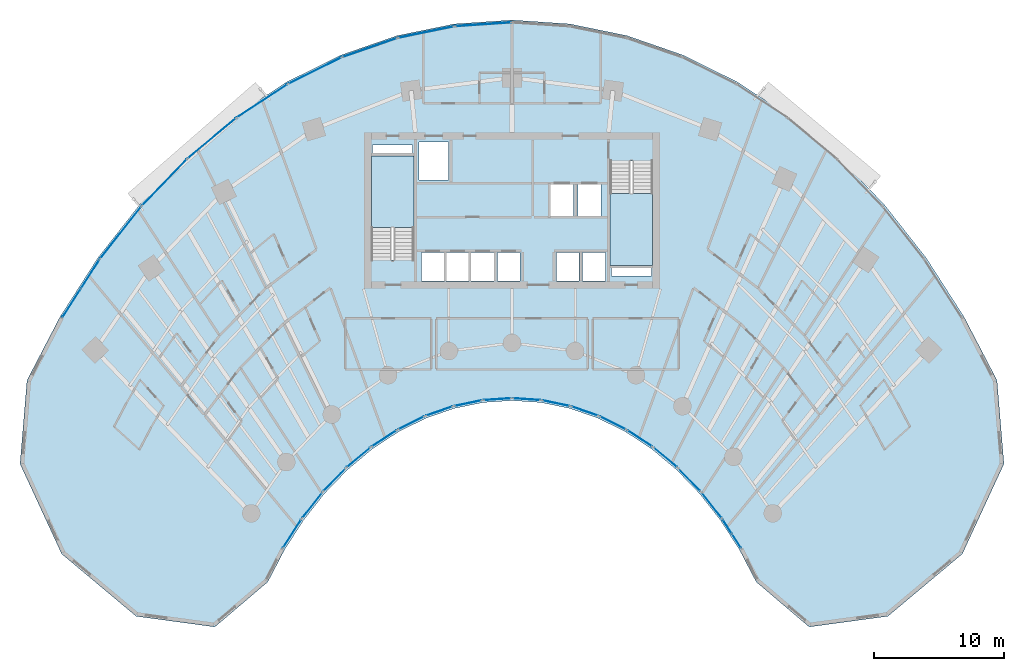
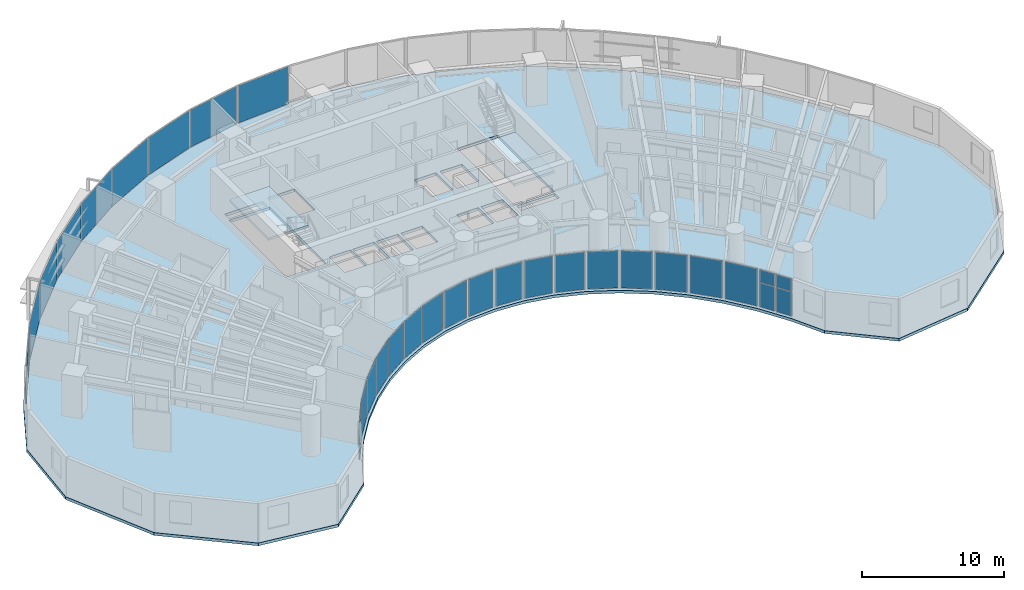
# One storey, part 9 of 18: 33 plates, 3 slabs, 29 elements without a shape of their own.
"""IFC4 building model written with IfcOpenShell, lengths in metres."""

from ifc_helpers import new_model, si_unit, direction, frame, origin, origin_2d, place, context, subcontext, project, spatial, polyline, rectangle, outline, extrude, source, transform, mapped, material, layer, layer_set, type_object, type_shapes, element, aggregate, save


model = new_model("IFC4")

# Units and contexts
model_context = context("Model", 3, precision=1e-05, world=origin(), true_north=direction((0.0, 1.0)))
body_context = subcontext(model_context, "Body", "Model", "MODEL_VIEW")
ifc_project = project(units=[si_unit("LENGTHUNIT", "METRE"), si_unit("AREAUNIT", "SQUARE_METRE"), si_unit("VOLUMEUNIT", "CUBIC_METRE"), si_unit("PLANEANGLEUNIT", "RADIAN"), si_unit("MASSUNIT", "GRAM", prefix="KILO")], contexts=[model_context])

# Site, building, storey
site_placement = place(None, origin())
site = spatial("IfcSite", under=ifc_project, at=site_placement, CompositionType="ELEMENT")
building_placement = place(site_placement, origin())
building = spatial("IfcBuilding", under=site, at=building_placement, Name="Breltana Convention Tower", CompositionType="ELEMENT")
storey_placement = place(building_placement, frame((0.0, 0.0, 39.0)))
storey = spatial("IfcBuildingStorey", under=building, at=storey_placement, Name="L07", CompositionType="ELEMENT", Elevation=39.0)

# Slab
ifc_material_1 = material(Name="Concrete C40/50", Category="concrete")
ifc_layer_1 = layer(ifc_material_1, 0.239990234375, Name="Concrete C40/50")
ifc_layer_set_1 = layer_set([ifc_layer_1], Name="Concrete C40/50")
slab_type_1 = type_object("IfcSlabType", Name="SL-HTL-240", PredefinedType="FLOOR", material=ifc_layer_set_1)
slab_1_placement = place(storey_placement, frame((0.0, 0.0, -0.239990234375)))
element("IfcSlab", 1, at=slab_1_placement, inside=storey, type_object=slab_type_1, Name="L07 Suspended Structural Floor Slab", PredefinedType="FLOOR", context=body_context, shape_type="SweptSolid", body=[
    extrude(outline(polyline([(85.229248046875, 53.173095703125), (82.687744140625, 58.054931640625), (79.791015625, 62.567626953125), (76.569091796875, 66.664794921875), (73.05419921875, 70.304931640625), (69.283203125, 73.450439453125), (65.2939453125, 76.069091796875), (61.1279296875, 78.134033203125), (56.827392578125, 79.62451171875), (52.436279296875, 80.52490234375), (48.0, 80.825927734375), (43.563720703125, 80.52490234375), (39.172607421875, 79.62451171875), (34.8720703125, 78.134033203125), (30.7060546875, 76.069091796875), (26.716796875, 73.450439453125), (22.94580078125, 70.304931640625), (19.430908203125, 66.664794921875), (16.208984375, 62.567626953125), (13.312255859375, 58.054931640625), (10.770751953125, 53.173095703125), (10.234619140625, 46.75927734375), (13.433837890625, 39.8388671875), (19.14697265625, 35.055419921875), (25.191162109375, 34.235595703125), (29.258056640625, 37.693115234375), (30.53759765625, 40.150634765625), (31.995849609375, 42.42236328125), (33.617919921875, 44.485107421875), (35.38720703125, 46.3173828125), (37.28564453125, 47.90087890625), (39.2939453125, 49.21923828125), (41.39111328125, 50.2587890625), (43.55615234375, 51.009033203125), (45.7666015625, 51.46240234375), (48.0, 51.614013671875), (50.2333984375, 51.46240234375), (52.44384765625, 51.009033203125), (54.60888671875, 50.2587890625), (56.7060546875, 49.21923828125), (58.71435546875, 47.90087890625), (60.61279296875, 46.3173828125), (62.382080078125, 44.485107421875), (64.004150390625, 42.42236328125), (65.46240234375, 40.150634765625), (66.741943359375, 37.693115234375), (70.808837890625, 34.235595703125), (76.85302734375, 35.055419921875), (82.566162109375, 39.8388671875), (85.765380859375, 46.75927734375), (85.229248046875, 53.173095703125)]), holes=[polyline([(37.199951171875, 62.385009765625), (40.469970703125, 62.385009765625), (40.469970703125, 70.39990234375), (37.199951171875, 70.39990234375), (37.199951171875, 62.385009765625)]), polyline([(55.530029296875, 62.0), (58.800048828125, 62.0), (58.800048828125, 70.014892578125), (55.530029296875, 70.014892578125), (55.530029296875, 62.0)]), polyline([(41.0400390625, 60.800048828125), (42.800048828125, 60.800048828125), (42.800048828125, 62.97998046875), (41.0400390625, 62.97998046875), (41.0400390625, 60.800048828125)]), polyline([(42.93994140625, 60.800048828125), (44.699951171875, 60.800048828125), (44.699951171875, 62.97998046875), (42.93994140625, 62.97998046875), (42.93994140625, 60.800048828125)]), polyline([(44.8701171875, 60.800048828125), (46.6298828125, 60.800048828125), (46.6298828125, 62.97998046875), (44.8701171875, 62.97998046875), (44.8701171875, 60.800048828125)]), polyline([(46.8701171875, 60.800048828125), (48.6298828125, 60.800048828125), (48.6298828125, 62.97998046875), (46.8701171875, 62.97998046875), (46.8701171875, 60.800048828125)]), polyline([(51.39990234375, 60.800048828125), (53.159912109375, 60.800048828125), (53.159912109375, 62.97998046875), (51.39990234375, 62.97998046875), (51.39990234375, 60.800048828125)]), polyline([(53.39990234375, 60.800048828125), (55.159912109375, 60.800048828125), (55.159912109375, 62.97998046875), (53.39990234375, 62.97998046875), (53.39990234375, 60.800048828125)]), polyline([(50.969970703125, 65.800048828125), (52.72998046875, 65.800048828125), (52.72998046875, 68.179931640625), (50.969970703125, 68.179931640625), (50.969970703125, 65.800048828125)]), polyline([(53.070068359375, 65.800048828125), (54.830078125, 65.800048828125), (54.830078125, 68.179931640625), (53.070068359375, 68.179931640625), (53.070068359375, 65.800048828125)]), polyline([(40.8798828125, 68.550048828125), (43.1201171875, 68.550048828125), (43.1201171875, 71.449951171875), (40.8798828125, 71.449951171875), (40.8798828125, 68.550048828125)]), polyline([(37.300048828125, 70.60009765625), (40.3798828125, 70.60009765625), (40.3798828125, 71.219970703125), (37.300048828125, 71.219970703125), (37.300048828125, 70.60009765625)]), polyline([(55.6201171875, 61.179931640625), (58.699951171875, 61.179931640625), (58.699951171875, 61.800048828125), (55.6201171875, 61.800048828125), (55.6201171875, 61.179931640625)])]), origin(), (0.0, 0.0, 1.0), 0.239990234375),
])

# Stair, slab
stair_type = type_object("IfcStairType", Name="ST-DOG-1560-R180", PredefinedType="HALF_TURN_STAIR", material=ifc_material_1)
stair_1_placement = place(storey_placement, origin())
stair_1 = element("IfcStair", 2, at=stair_1_placement, inside=storey, type_object=stair_type, Name="L07 Protected Core Exit Stair ST-1", PredefinedType="HALF_TURN_STAIR")
ifc_layer_2 = layer(ifc_material_1, 0.199951171875, Name="Concrete C40/50")
ifc_layer_set_2 = layer_set([ifc_layer_2], Name="Concrete C40/50")
slab_type_2 = type_object("IfcSlabType", Name="SL-STAIR-LANDING-200", PredefinedType="LANDING", material=ifc_layer_set_2)
slab_2_placement = place(storey_placement, frame((0.0, 0.0, 1.60009765625)))
slab_2 = element("IfcSlab", 3, at=slab_2_placement, type_object=slab_type_2, Name="ST-1 landing 1", PredefinedType="LANDING", context=body_context, shape_type="SweptSolid", body=[
    extrude(outline(polyline([(40.469970703125, 64.8798828125), (40.469970703125, 70.39990234375), (37.199951171875, 70.39990234375), (37.199951171875, 64.8798828125), (40.469970703125, 64.8798828125)])), origin(), (0.0, 0.0, 1.0), 0.199951171875),
])
aggregate(stair_1, [slab_2])

stair_2_placement = place(storey_placement, origin())
stair_2 = element("IfcStair", 4, at=stair_2_placement, inside=storey, type_object=stair_type, Name="L07 Protected Core Exit Stair ST-2", PredefinedType="HALF_TURN_STAIR")
slab_3_placement = place(storey_placement, frame((0.0, 0.0, 1.60009765625)))
slab_3 = element("IfcSlab", 5, at=slab_3_placement, type_object=slab_type_2, Name="ST-2 landing 1", PredefinedType="LANDING", context=body_context, shape_type="SweptSolid", body=[
    extrude(outline(polyline([(55.530029296875, 67.52001953125), (55.530029296875, 62.0), (58.800048828125, 62.0), (58.800048828125, 67.52001953125), (55.530029296875, 67.52001953125)])), origin(), (0.0, 0.0, 1.0), 0.199951171875),
])
aggregate(stair_2, [slab_3])

# Curtain wall, plates
ifc_material_2 = material(Name="Aluminium Anodised Bronze Frame", Category="aluminium")
ifc_layer_3 = layer(ifc_material_2, 0.18994140625, Name="Aluminium Anodised Bronze Frame")
ifc_layer_set_3 = layer_set([ifc_layer_3], Name="Aluminium Anodised Bronze Frame")
curtain_wall_type_1 = type_object("IfcCurtainWallType", Name="CW-SYS-1", PredefinedType="NOTDEFINED", material=ifc_layer_set_3)
curtain_wall_1_placement = place(storey_placement, origin())
curtain_wall_1 = element("IfcCurtainWall", 6, at=curtain_wall_1_placement, inside=storey, type_object=curtain_wall_type_1, Name="L07 inner south-court glazing 1", PredefinedType="NOTDEFINED")
ifc_material_3 = material(Name="Glass Low-E Double Glazing", Category="glass")
ifc_layer_4 = layer(ifc_material_3, 0.028076171875, Name="Glass Low-E Double Glazing")
ifc_layer_set_4 = layer_set([ifc_layer_4], Name="Glass Low-E Double Glazing")
plate_type_1 = type_object("IfcPlateType", Name="CWP-IGU-28", PredefinedType="CURTAIN_PANEL", material=ifc_layer_set_4)
shared_shape_1 = source(origin(), body_context, "Body", "SweptSolid", [
    extrude(rectangle(XDim=1.229736328125, YDim=0.028076171875, at=origin_2d()), origin(), (0.0, 0.0, 1.0), 2.06396484375),
])
plate_1_placement = place(storey_placement, frame((65.238525390625, 40.83251953125, 0.080078125), z_axis=(0.0, 0.0, 1.0), x_axis=(-0.540169576197, 0.841556194767, 0.0)))
plate_1 = element("IfcPlate", 7, at=plate_1_placement, type_object=plate_type_1, Name="CW-01 panel 1.1", PredefinedType="CURTAIN_PANEL", context=body_context, shape_type="MappedRepresentation", body=[
    mapped(shared_shape_1, transform((0.0, 0.0, 0.0), scale=1.0)),
])
plate_2_placement = place(storey_placement, frame((64.531005859375, 41.934814453125, 0.080078125), z_axis=(0.0, 0.0, 1.0), x_axis=(-0.540169576197, 0.841556194767, 0.0)))
plate_2 = element("IfcPlate", 8, at=plate_2_placement, type_object=plate_type_1, Name="CW-01 panel 2.1", PredefinedType="CURTAIN_PANEL", context=body_context, shape_type="MappedRepresentation", body=[
    mapped(shared_shape_1, transform((0.0, 0.0, 0.0), scale=1.0)),
])
shared_shape_2 = source(origin(), body_context, "Body", "SweptSolid", [
    extrude(rectangle(XDim=1.229736328125, YDim=0.028076171875, at=origin_2d()), origin(), (0.0, 0.0, 1.0), 1.055908203125),
])
plate_3_placement = place(storey_placement, frame((65.238525390625, 40.83251953125, 2.22412109375), z_axis=(0.0, 0.0, 1.0), x_axis=(-0.540169576197, 0.841556194767, 0.0)))
plate_3 = element("IfcPlate", 9, at=plate_3_placement, type_object=plate_type_1, Name="CW-01 panel 1.2", PredefinedType="CURTAIN_PANEL", context=body_context, shape_type="MappedRepresentation", body=[
    mapped(shared_shape_2, transform((0.0, 0.0, 0.0), scale=1.0)),
])
plate_4_placement = place(storey_placement, frame((64.531005859375, 41.934814453125, 2.22412109375), z_axis=(0.0, 0.0, 1.0), x_axis=(-0.540169576197, 0.841556194767, 0.0)))
plate_4 = element("IfcPlate", 10, at=plate_4_placement, type_object=plate_type_1, Name="CW-01 panel 2.2", PredefinedType="CURTAIN_PANEL", context=body_context, shape_type="MappedRepresentation", body=[
    mapped(shared_shape_2, transform((0.0, 0.0, 0.0), scale=1.0)),
])
aggregate(curtain_wall_1, [plate_1, plate_3, plate_2, plate_4])

# Curtain wall, plate
curtain_wall_2_placement = place(storey_placement, origin())
curtain_wall_2 = element("IfcCurtainWall", 11, at=curtain_wall_2_placement, inside=storey, type_object=curtain_wall_type_1, Name="L07 inner south-court glazing 2", PredefinedType="NOTDEFINED")
shared_shape_3 = source(origin(), body_context, "Body", "SweptSolid", [
    extrude(rectangle(XDim=2.464111328125, YDim=0.028076171875, at=origin_2d()), origin(), (0.0, 0.0, 1.0), 3.199951171875),
])
plate_5_placement = place(storey_placement, frame((63.334716796875, 43.56494140625, 0.080078125), z_axis=(0.0, 0.0, 1.0), x_axis=(-0.61815305034, 0.786057762734, 0.0)))
plate_5 = element("IfcPlate", 12, at=plate_5_placement, type_object=plate_type_1, Name="CW-01 panel 1.1", PredefinedType="CURTAIN_PANEL", context=body_context, shape_type="MappedRepresentation", body=[
    mapped(shared_shape_3, transform((0.0, 0.0, 0.0), scale=1.0)),
])
aggregate(curtain_wall_2, [plate_5])

curtain_wall_3_placement = place(storey_placement, origin())
curtain_wall_3 = element("IfcCurtainWall", 13, at=curtain_wall_3_placement, inside=storey, type_object=curtain_wall_type_1, Name="L07 inner south-court glazing 17", PredefinedType="NOTDEFINED")
plate_6_placement = place(storey_placement, frame((32.665283203125, 43.56494140625, 0.080078125), z_axis=(0.0, 0.0, 1.0), x_axis=(-0.61815305034, -0.786057762734, 0.0)))
plate_6 = element("IfcPlate", 14, at=plate_6_placement, type_object=plate_type_1, Name="CW-01 panel 1.1", PredefinedType="CURTAIN_PANEL", context=body_context, shape_type="MappedRepresentation", body=[
    mapped(shared_shape_3, transform((0.0, 0.0, 0.0), scale=1.0)),
])
aggregate(curtain_wall_3, [plate_6])

curtain_wall_4_placement = place(storey_placement, origin())
curtain_wall_4 = element("IfcCurtainWall", 15, at=curtain_wall_4_placement, inside=storey, type_object=curtain_wall_type_1, Name="L07 inner south-court glazing 3", PredefinedType="NOTDEFINED")
shared_shape_4 = source(origin(), body_context, "Body", "SweptSolid", [
    extrude(rectangle(XDim=2.38720703125, YDim=0.028076171875, at=origin_2d()), origin(), (0.0, 0.0, 1.0), 3.199951171875),
])
plate_7_placement = place(storey_placement, frame((61.626953125, 45.5263671875, 0.080078125), z_axis=(0.0, 0.0, 1.0), x_axis=(-0.694612029111, 0.719384548773, 0.0)))
plate_7 = element("IfcPlate", 16, at=plate_7_placement, type_object=plate_type_1, Name="CW-01 panel 1.1", PredefinedType="CURTAIN_PANEL", context=body_context, shape_type="MappedRepresentation", body=[
    mapped(shared_shape_4, transform((0.0, 0.0, 0.0), scale=1.0)),
])
aggregate(curtain_wall_4, [plate_7])

curtain_wall_5_placement = place(storey_placement, origin())
curtain_wall_5 = element("IfcCurtainWall", 17, at=curtain_wall_5_placement, inside=storey, type_object=curtain_wall_type_1, Name="L07 inner south-court glazing 16", PredefinedType="NOTDEFINED")
plate_8_placement = place(storey_placement, frame((34.373046875, 45.5263671875, 0.080078125), z_axis=(0.0, 0.0, 1.0), x_axis=(-0.694612029111, -0.719384548773, 0.0)))
plate_8 = element("IfcPlate", 18, at=plate_8_placement, type_object=plate_type_1, Name="CW-01 panel 1.1", PredefinedType="CURTAIN_PANEL", context=body_context, shape_type="MappedRepresentation", body=[
    mapped(shared_shape_4, transform((0.0, 0.0, 0.0), scale=1.0)),
])
aggregate(curtain_wall_5, [plate_8])

curtain_wall_6_placement = place(storey_placement, origin())
curtain_wall_6 = element("IfcCurtainWall", 19, at=curtain_wall_6_placement, inside=storey, type_object=curtain_wall_type_1, Name="L07 inner south-court glazing 4", PredefinedType="NOTDEFINED")
shared_shape_5 = source(origin(), body_context, "Body", "SweptSolid", [
    extrude(rectangle(XDim=2.312255859375, YDim=0.028076171875, at=origin_2d()), origin(), (0.0, 0.0, 1.0), 3.199951171875),
])
plate_9_placement = place(storey_placement, frame((59.77880859375, 47.24755859375, 0.080078125), z_axis=(0.0, 0.0, 1.0), x_axis=(-0.767939382804, 0.640522524458, 0.0)))
plate_9 = element("IfcPlate", 20, at=plate_9_placement, type_object=plate_type_1, Name="CW-01 panel 1.1", PredefinedType="CURTAIN_PANEL", context=body_context, shape_type="MappedRepresentation", body=[
    mapped(shared_shape_5, transform((0.0, 0.0, 0.0), scale=1.0)),
])
aggregate(curtain_wall_6, [plate_9])

curtain_wall_7_placement = place(storey_placement, origin())
curtain_wall_7 = element("IfcCurtainWall", 21, at=curtain_wall_7_placement, inside=storey, type_object=curtain_wall_type_1, Name="L07 inner south-court glazing 15", PredefinedType="NOTDEFINED")
plate_10_placement = place(storey_placement, frame((36.22119140625, 47.24755859375, 0.080078125), z_axis=(0.0, 0.0, 1.0), x_axis=(-0.767939382804, -0.640522524458, 0.0)))
plate_10 = element("IfcPlate", 22, at=plate_10_placement, type_object=plate_type_1, Name="CW-01 panel 1.1", PredefinedType="CURTAIN_PANEL", context=body_context, shape_type="MappedRepresentation", body=[
    mapped(shared_shape_5, transform((0.0, 0.0, 0.0), scale=1.0)),
])
aggregate(curtain_wall_7, [plate_10])

curtain_wall_8_placement = place(storey_placement, origin())
curtain_wall_8 = element("IfcCurtainWall", 23, at=curtain_wall_8_placement, inside=storey, type_object=curtain_wall_type_1, Name="L07 inner south-court glazing 5", PredefinedType="NOTDEFINED")
shared_shape_6 = source(origin(), body_context, "Body", "SweptSolid", [
    extrude(rectangle(XDim=2.2421875, YDim=0.028076171875, at=origin_2d()), origin(), (0.0, 0.0, 1.0), 3.199951171875),
])
plate_11_placement = place(storey_placement, frame((57.80908203125, 48.710693359375, 0.080078125), z_axis=(0.0, 0.0, 1.0), x_axis=(-0.835967942634, 0.548778278441, 0.0)))
plate_11 = element("IfcPlate", 24, at=plate_11_placement, type_object=plate_type_1, Name="CW-01 panel 1.1", PredefinedType="CURTAIN_PANEL", context=body_context, shape_type="MappedRepresentation", body=[
    mapped(shared_shape_6, transform((0.0, 0.0, 0.0), scale=1.0)),
])
aggregate(curtain_wall_8, [plate_11])

curtain_wall_9_placement = place(storey_placement, origin())
curtain_wall_9 = element("IfcCurtainWall", 25, at=curtain_wall_9_placement, inside=storey, type_object=curtain_wall_type_1, Name="L07 inner south-court glazing 14", PredefinedType="NOTDEFINED")
plate_12_placement = place(storey_placement, frame((38.19091796875, 48.710693359375, 0.080078125), z_axis=(0.0, 0.0, 1.0), x_axis=(-0.835967942634, -0.548778278441, 0.0)))
plate_12 = element("IfcPlate", 26, at=plate_12_placement, type_object=plate_type_1, Name="CW-01 panel 1.1", PredefinedType="CURTAIN_PANEL", context=body_context, shape_type="MappedRepresentation", body=[
    mapped(shared_shape_6, transform((0.0, 0.0, 0.0), scale=1.0)),
])
aggregate(curtain_wall_9, [plate_12])

curtain_wall_10_placement = place(storey_placement, origin())
curtain_wall_10 = element("IfcCurtainWall", 27, at=curtain_wall_10_placement, inside=storey, type_object=curtain_wall_type_1, Name="L07 inner south-court glazing 6", PredefinedType="NOTDEFINED")
shared_shape_7 = source(origin(), body_context, "Body", "SweptSolid", [
    extrude(rectangle(XDim=2.180908203125, YDim=0.028076171875, at=origin_2d()), origin(), (0.0, 0.0, 1.0), 3.199951171875),
])
plate_13_placement = place(storey_placement, frame((55.7373046875, 49.900390625, 0.080078125), z_axis=(0.0, 0.0, 1.0), x_axis=(-0.895968310315, 0.444117987602, 0.0)))
plate_13 = element("IfcPlate", 28, at=plate_13_placement, type_object=plate_type_1, Name="CW-01 panel 1.1", PredefinedType="CURTAIN_PANEL", context=body_context, shape_type="MappedRepresentation", body=[
    mapped(shared_shape_7, transform((0.0, 0.0, 0.0), scale=1.0)),
])
aggregate(curtain_wall_10, [plate_13])

curtain_wall_11_placement = place(storey_placement, origin())
curtain_wall_11 = element("IfcCurtainWall", 29, at=curtain_wall_11_placement, inside=storey, type_object=curtain_wall_type_1, Name="L07 inner south-court glazing 13", PredefinedType="NOTDEFINED")
plate_14_placement = place(storey_placement, frame((40.2626953125, 49.900390625, 0.080078125), z_axis=(0.0, 0.0, 1.0), x_axis=(-0.895968310315, -0.444117987602, 0.0)))
plate_14 = element("IfcPlate", 30, at=plate_14_placement, type_object=plate_type_1, Name="CW-01 panel 1.1", PredefinedType="CURTAIN_PANEL", context=body_context, shape_type="MappedRepresentation", body=[
    mapped(shared_shape_7, transform((0.0, 0.0, 0.0), scale=1.0)),
])
aggregate(curtain_wall_11, [plate_14])

curtain_wall_12_placement = place(storey_placement, origin())
curtain_wall_12 = element("IfcCurtainWall", 31, at=curtain_wall_12_placement, inside=storey, type_object=curtain_wall_type_1, Name="L07 inner south-court glazing 7", PredefinedType="NOTDEFINED")
shared_shape_8 = source(origin(), body_context, "Body", "SweptSolid", [
    extrude(rectangle(XDim=2.13134765625, YDim=0.028076171875, at=origin_2d()), origin(), (0.0, 0.0, 1.0), 3.199951171875),
])
plate_15_placement = place(storey_placement, frame((53.585205078125, 50.80419921875, 0.080078125), z_axis=(0.0, 0.0, 1.0), x_axis=(-0.944881211406, 0.327413341714, 0.0)))
plate_15 = element("IfcPlate", 32, at=plate_15_placement, type_object=plate_type_1, Name="CW-01 panel 1.1", PredefinedType="CURTAIN_PANEL", context=body_context, shape_type="MappedRepresentation", body=[
    mapped(shared_shape_8, transform((0.0, 0.0, 0.0), scale=1.0)),
])
aggregate(curtain_wall_12, [plate_15])

curtain_wall_13_placement = place(storey_placement, origin())
curtain_wall_13 = element("IfcCurtainWall", 33, at=curtain_wall_13_placement, inside=storey, type_object=curtain_wall_type_1, Name="L07 inner south-court glazing 12", PredefinedType="NOTDEFINED")
plate_16_placement = place(storey_placement, frame((42.414794921875, 50.80419921875, 0.080078125), z_axis=(0.0, 0.0, 1.0), x_axis=(-0.944881211406, -0.327413341714, 0.0)))
plate_16 = element("IfcPlate", 34, at=plate_16_placement, type_object=plate_type_1, Name="CW-01 panel 1.1", PredefinedType="CURTAIN_PANEL", context=body_context, shape_type="MappedRepresentation", body=[
    mapped(shared_shape_8, transform((0.0, 0.0, 0.0), scale=1.0)),
])
aggregate(curtain_wall_13, [plate_16])

curtain_wall_14_placement = place(storey_placement, origin())
curtain_wall_14 = element("IfcCurtainWall", 35, at=curtain_wall_14_placement, inside=storey, type_object=curtain_wall_type_1, Name="L07 inner south-court glazing 8", PredefinedType="NOTDEFINED")
shared_shape_9 = source(origin(), body_context, "Body", "SweptSolid", [
    extrude(rectangle(XDim=2.096435546875, YDim=0.028076171875, at=origin_2d()), origin(), (0.0, 0.0, 1.0), 3.199951171875),
])
plate_17_placement = place(storey_placement, frame((51.374755859375, 51.412109375, 0.080078125), z_axis=(0.0, 0.0, 1.0), x_axis=(-0.97961455393, 0.200886350278, 0.0)))
plate_17 = element("IfcPlate", 36, at=plate_17_placement, type_object=plate_type_1, Name="CW-01 panel 1.1", PredefinedType="CURTAIN_PANEL", context=body_context, shape_type="MappedRepresentation", body=[
    mapped(shared_shape_9, transform((0.0, 0.0, 0.0), scale=1.0)),
])
aggregate(curtain_wall_14, [plate_17])

curtain_wall_15_placement = place(storey_placement, origin())
curtain_wall_15 = element("IfcCurtainWall", 37, at=curtain_wall_15_placement, inside=storey, type_object=curtain_wall_type_1, Name="L07 inner south-court glazing 11", PredefinedType="NOTDEFINED")
plate_18_placement = place(storey_placement, frame((44.625244140625, 51.412109375, 0.080078125), z_axis=(0.0, 0.0, 1.0), x_axis=(-0.97961455393, -0.200886350278, 0.0)))
plate_18 = element("IfcPlate", 38, at=plate_18_placement, type_object=plate_type_1, Name="CW-01 panel 1.1", PredefinedType="CURTAIN_PANEL", context=body_context, shape_type="MappedRepresentation", body=[
    mapped(shared_shape_9, transform((0.0, 0.0, 0.0), scale=1.0)),
])
aggregate(curtain_wall_15, [plate_18])

curtain_wall_16_placement = place(storey_placement, origin())
curtain_wall_16 = element("IfcCurtainWall", 39, at=curtain_wall_16_placement, inside=storey, type_object=curtain_wall_type_1, Name="L07 inner south-court glazing 9", PredefinedType="NOTDEFINED")
shared_shape_10 = source(origin(), body_context, "Body", "SweptSolid", [
    extrude(rectangle(XDim=2.078369140625, YDim=0.028076171875, at=origin_2d()), origin(), (0.0, 0.0, 1.0), 3.199951171875),
])
plate_19_placement = place(storey_placement, frame((49.12890625, 51.7177734375, 0.080078125), z_axis=(0.0, 0.0, 1.0), x_axis=(-0.997703975371, 0.067725752326, 0.0)))
plate_19 = element("IfcPlate", 40, at=plate_19_placement, type_object=plate_type_1, Name="CW-01 panel 1.1", PredefinedType="CURTAIN_PANEL", context=body_context, shape_type="MappedRepresentation", body=[
    mapped(shared_shape_10, transform((0.0, 0.0, 0.0), scale=1.0)),
])
aggregate(curtain_wall_16, [plate_19])

curtain_wall_17_placement = place(storey_placement, origin())
curtain_wall_17 = element("IfcCurtainWall", 41, at=curtain_wall_17_placement, inside=storey, type_object=curtain_wall_type_1, Name="L07 inner south-court glazing 10", PredefinedType="NOTDEFINED")
plate_20_placement = place(storey_placement, frame((46.87109375, 51.7177734375, 0.080078125), z_axis=(0.0, 0.0, 1.0), x_axis=(-0.997703975371, -0.067725752326, 0.0)))
plate_20 = element("IfcPlate", 42, at=plate_20_placement, type_object=plate_type_1, Name="CW-01 panel 1.1", PredefinedType="CURTAIN_PANEL", context=body_context, shape_type="MappedRepresentation", body=[
    mapped(shared_shape_10, transform((0.0, 0.0, 0.0), scale=1.0)),
])
aggregate(curtain_wall_17, [plate_20])

curtain_wall_18_placement = place(storey_placement, origin())
curtain_wall_18 = element("IfcCurtainWall", 43, at=curtain_wall_18_placement, inside=storey, type_object=curtain_wall_type_1, Name="L07 inner south-court glazing 18", PredefinedType="NOTDEFINED")
shared_shape_11 = source(origin(), body_context, "Body", "SweptSolid", [
    extrude(rectangle(XDim=2.53955078125, YDim=0.028076171875, at=origin_2d()), origin(), (0.0, 0.0, 1.0), 3.199951171875),
])
plate_21_placement = place(storey_placement, frame((31.115234375, 41.3837890625, 0.080078125), z_axis=(0.0, 0.0, 1.0), x_axis=(-0.540169576197, -0.841556194767, 0.0)))
plate_21 = element("IfcPlate", 44, at=plate_21_placement, type_object=plate_type_1, Name="CW-01 panel 1.1", PredefinedType="CURTAIN_PANEL", context=body_context, shape_type="MappedRepresentation", body=[
    mapped(shared_shape_11, transform((0.0, 0.0, 0.0), scale=1.0)),
])
aggregate(curtain_wall_18, [plate_21])

# Curtain wall, plates
ifc_layer_5 = layer(ifc_material_2, 0.199951171875, Name="Aluminium Anodised Bronze Frame")
ifc_layer_set_5 = layer_set([ifc_layer_5], Name="Aluminium Anodised Bronze Frame")
curtain_wall_type_2 = type_object("IfcCurtainWallType", Name="CW-SYS-2", PredefinedType="NOTDEFINED", material=ifc_layer_set_5)
curtain_wall_19_placement = place(storey_placement, origin())
curtain_wall_19 = element("IfcCurtainWall", 45, at=curtain_wall_19_placement, inside=storey, type_object=curtain_wall_type_2, Name="L07 outer double-skin inner glazing 1", PredefinedType="NOTDEFINED")
ifc_layer_6 = layer(ifc_material_3, 0.031982421875, Name="Glass Low-E Double Glazing")
ifc_layer_set_6 = layer_set([ifc_layer_6], Name="Glass Low-E Double Glazing")
plate_type_2 = type_object("IfcPlateType", Name="CWP-IGU-32", PredefinedType="CURTAIN_PANEL", material=ifc_layer_set_6)
shared_shape_12 = source(origin(), body_context, "Body", "SweptSolid", [
    extrude(rectangle(XDim=2.56787109375, YDim=0.031982421875, at=origin_2d()), origin(), (0.0, 0.0, 1.0), 2.0791015625),
])
type_shapes(plate_type_2, [shared_shape_12])
plate_22_placement = place(storey_placement, frame((14.199462890625, 59.103759765625, 0.070068359375), z_axis=(0.0, 0.0, 1.0), x_axis=(0.540180724109, 0.841549039154, 0.0)))
plate_22 = element("IfcPlate", 46, at=plate_22_placement, type_object=plate_type_2, Name="CW-02 panel 1.1", PredefinedType="CURTAIN_PANEL", context=body_context, shape_type="MappedRepresentation", body=[
    mapped(shared_shape_12, transform((0.0, 0.0, 0.0), scale=1.0)),
])
plate_23_placement = place(storey_placement, frame((15.624267578125, 61.32373046875, 0.070068359375), z_axis=(0.0, 0.0, 1.0), x_axis=(0.540180724109, 0.841549039154, 0.0)))
plate_23 = element("IfcPlate", 47, at=plate_23_placement, type_object=plate_type_2, Name="CW-02 panel 2.1", PredefinedType="CURTAIN_PANEL", context=body_context, shape_type="MappedRepresentation", body=[
    mapped(shared_shape_12, transform((0.0, 0.0, 0.0), scale=1.0)),
])
shared_shape_13 = source(origin(), body_context, "Body", "SweptSolid", [
    extrude(rectangle(XDim=2.56787109375, YDim=0.031982421875, at=origin_2d()), origin(), (0.0, 0.0, 1.0), 1.071044921875),
])
plate_24_placement = place(storey_placement, frame((14.199462890625, 59.103759765625, 2.21875), z_axis=(0.0, 0.0, 1.0), x_axis=(0.540180724109, 0.841549039154, 0.0)))
plate_24 = element("IfcPlate", 48, at=plate_24_placement, type_object=plate_type_2, Name="CW-02 panel 1.2", PredefinedType="CURTAIN_PANEL", context=body_context, shape_type="MappedRepresentation", body=[
    mapped(shared_shape_13, transform((0.0, 0.0, 0.0), scale=1.0)),
])
plate_25_placement = place(storey_placement, frame((15.624267578125, 61.32373046875, 2.21875), z_axis=(0.0, 0.0, 1.0), x_axis=(0.540180724109, 0.841549039154, 0.0)))
plate_25 = element("IfcPlate", 49, at=plate_25_placement, type_object=plate_type_2, Name="CW-02 panel 2.2", PredefinedType="CURTAIN_PANEL", context=body_context, shape_type="MappedRepresentation", body=[
    mapped(shared_shape_13, transform((0.0, 0.0, 0.0), scale=1.0)),
])
aggregate(curtain_wall_19, [plate_22, plate_24, plate_23, plate_25])

# Curtain wall, plate
curtain_wall_20_placement = place(storey_placement, origin())
curtain_wall_20 = element("IfcCurtainWall", 50, at=curtain_wall_20_placement, inside=storey, type_object=curtain_wall_type_2, Name="L07 outer double-skin inner glazing 2", PredefinedType="NOTDEFINED")
shared_shape_14 = source(origin(), body_context, "Body", "SweptSolid", [
    extrude(rectangle(XDim=5.0546875, YDim=0.031982421875, at=origin_2d()), origin(), (0.0, 0.0, 1.0), 3.219970703125),
])
plate_26_placement = place(storey_placement, frame((17.961181640625, 64.504638671875, 0.06982421875), z_axis=(0.0, 0.0, 1.0), x_axis=(0.618153917633, 0.786057080698, 0.0)))
plate_26 = element("IfcPlate", 51, at=plate_26_placement, type_object=plate_type_2, Name="CW-02 panel 1.1", PredefinedType="CURTAIN_PANEL", context=body_context, shape_type="MappedRepresentation", body=[
    mapped(shared_shape_14, transform((0.0, 0.0, 0.0), scale=1.0)),
])
aggregate(curtain_wall_20, [plate_26])

curtain_wall_21_placement = place(storey_placement, origin())
curtain_wall_21 = element("IfcCurtainWall", 52, at=curtain_wall_21_placement, inside=storey, type_object=curtain_wall_type_2, Name="L07 outer double-skin inner glazing 3", PredefinedType="NOTDEFINED")
shared_shape_15 = source(origin(), body_context, "Body", "SweptSolid", [
    extrude(rectangle(XDim=4.901123046875, YDim=0.031982421875, at=origin_2d()), origin(), (0.0, 0.0, 1.0), 3.219970703125),
])
plate_27_placement = place(storey_placement, frame((21.317626953125, 68.359619140625, 0.06982421875), z_axis=(0.0, 0.0, 1.0), x_axis=(0.694610090106, 0.719386421003, 0.0)))
plate_27 = element("IfcPlate", 53, at=plate_27_placement, type_object=plate_type_2, Name="CW-02 panel 1.1", PredefinedType="CURTAIN_PANEL", context=body_context, shape_type="MappedRepresentation", body=[
    mapped(shared_shape_15, transform((0.0, 0.0, 0.0), scale=1.0)),
])
aggregate(curtain_wall_21, [plate_27])

curtain_wall_22_placement = place(storey_placement, origin())
curtain_wall_22 = element("IfcCurtainWall", 54, at=curtain_wall_22_placement, inside=storey, type_object=curtain_wall_type_2, Name="L07 outer double-skin inner glazing 4", PredefinedType="NOTDEFINED")
shared_shape_16 = source(origin(), body_context, "Body", "SweptSolid", [
    extrude(rectangle(XDim=4.7509765625, YDim=0.031982421875, at=origin_2d()), origin(), (0.0, 0.0, 1.0), 3.219970703125),
])
plate_28_placement = place(storey_placement, frame((24.9462890625, 71.7392578125, 0.06982421875), z_axis=(0.0, 0.0, 1.0), x_axis=(0.767941326958, 0.640520193554, 0.0)))
plate_28 = element("IfcPlate", 55, at=plate_28_placement, type_object=plate_type_2, Name="CW-02 panel 1.1", PredefinedType="CURTAIN_PANEL", context=body_context, shape_type="MappedRepresentation", body=[
    mapped(shared_shape_16, transform((0.0, 0.0, 0.0), scale=1.0)),
])
aggregate(curtain_wall_22, [plate_28])

curtain_wall_23_placement = place(storey_placement, origin())
curtain_wall_23 = element("IfcCurtainWall", 56, at=curtain_wall_23_placement, inside=storey, type_object=curtain_wall_type_2, Name="L07 outer double-skin inner glazing 5", PredefinedType="NOTDEFINED")
shared_shape_17 = source(origin(), body_context, "Body", "SweptSolid", [
    extrude(rectangle(XDim=4.610595703125, YDim=0.031982421875, at=origin_2d()), origin(), (0.0, 0.0, 1.0), 3.219970703125),
])
plate_29_placement = place(storey_placement, frame((28.81005859375, 74.609130859375, 0.06982421875), z_axis=(0.0, 0.0, 1.0), x_axis=(0.83596401875, 0.548784255746, 0.0)))
plate_29 = element("IfcPlate", 57, at=plate_29_placement, type_object=plate_type_2, Name="CW-02 panel 1.1", PredefinedType="CURTAIN_PANEL", context=body_context, shape_type="MappedRepresentation", body=[
    mapped(shared_shape_17, transform((0.0, 0.0, 0.0), scale=1.0)),
])
aggregate(curtain_wall_23, [plate_29])

curtain_wall_24_placement = place(storey_placement, origin())
curtain_wall_24 = element("IfcCurtainWall", 58, at=curtain_wall_24_placement, inside=storey, type_object=curtain_wall_type_2, Name="L07 outer double-skin inner glazing 6", PredefinedType="NOTDEFINED")
shared_shape_18 = source(origin(), body_context, "Body", "SweptSolid", [
    extrude(rectangle(XDim=4.487548828125, YDim=0.031982421875, at=origin_2d()), origin(), (0.0, 0.0, 1.0), 3.219970703125),
])
plate_30_placement = place(storey_placement, frame((32.86865234375, 76.940185546875, 0.06982421875), z_axis=(0.0, 0.0, 1.0), x_axis=(0.895973407804, 0.444107703726, 0.0)))
plate_30 = element("IfcPlate", 59, at=plate_30_placement, type_object=plate_type_2, Name="CW-02 panel 1.1", PredefinedType="CURTAIN_PANEL", context=body_context, shape_type="MappedRepresentation", body=[
    mapped(shared_shape_18, transform((0.0, 0.0, 0.0), scale=1.0)),
])
aggregate(curtain_wall_24, [plate_30])

curtain_wall_25_placement = place(storey_placement, origin())
curtain_wall_25 = element("IfcCurtainWall", 60, at=curtain_wall_25_placement, inside=storey, type_object=curtain_wall_type_2, Name="L07 outer double-skin inner glazing 7", PredefinedType="NOTDEFINED")
shared_shape_19 = source(origin(), body_context, "Body", "SweptSolid", [
    extrude(rectangle(XDim=4.388427734375, YDim=0.031982421875, at=origin_2d()), origin(), (0.0, 0.0, 1.0), 3.219970703125),
])
plate_31_placement = place(storey_placement, frame((37.0810546875, 78.709228515625, 0.06982421875), z_axis=(0.0, 0.0, 1.0), x_axis=(0.944876012163, 0.32742834581, 0.0)))
plate_31 = element("IfcPlate", 61, at=plate_31_placement, type_object=plate_type_2, Name="CW-02 panel 1.1", PredefinedType="CURTAIN_PANEL", context=body_context, shape_type="MappedRepresentation", body=[
    mapped(shared_shape_19, transform((0.0, 0.0, 0.0), scale=1.0)),
])
aggregate(curtain_wall_25, [plate_31])

curtain_wall_26_placement = place(storey_placement, origin())
curtain_wall_26 = element("IfcCurtainWall", 62, at=curtain_wall_26_placement, inside=storey, type_object=curtain_wall_type_2, Name="L07 outer double-skin inner glazing 8", PredefinedType="NOTDEFINED")
shared_shape_20 = source(origin(), body_context, "Body", "SweptSolid", [
    extrude(rectangle(XDim=4.318359375, YDim=0.031982421875, at=origin_2d()), origin(), (0.0, 0.0, 1.0), 3.219970703125),
])
plate_32_placement = place(storey_placement, frame((41.404296875, 79.898193359375, 0.06982421875), z_axis=(0.0, 0.0, 1.0), x_axis=(0.979614925743, 0.200884537139, 0.0)))
plate_32 = element("IfcPlate", 63, at=plate_32_placement, type_object=plate_type_2, Name="CW-02 panel 1.1", PredefinedType="CURTAIN_PANEL", context=body_context, shape_type="MappedRepresentation", body=[
    mapped(shared_shape_20, transform((0.0, 0.0, 0.0), scale=1.0)),
])
aggregate(curtain_wall_26, [plate_32])

curtain_wall_27_placement = place(storey_placement, origin())
curtain_wall_27 = element("IfcCurtainWall", 64, at=curtain_wall_27_placement, inside=storey, type_object=curtain_wall_type_2, Name="L07 outer double-skin inner glazing 9", PredefinedType="NOTDEFINED")
shared_shape_21 = source(origin(), body_context, "Body", "SweptSolid", [
    extrude(rectangle(XDim=4.2822265625, YDim=0.031982421875, at=origin_2d()), origin(), (0.0, 0.0, 1.0), 3.219970703125),
])
plate_33_placement = place(storey_placement, frame((45.7939453125, 80.495849609375, 0.06982421875), z_axis=(0.0, 0.0, 1.0), x_axis=(0.997703982282, 0.067725650529, 0.0)))
plate_33 = element("IfcPlate", 65, at=plate_33_placement, type_object=plate_type_2, Name="CW-02 panel 1.1", PredefinedType="CURTAIN_PANEL", context=body_context, shape_type="MappedRepresentation", body=[
    mapped(shared_shape_21, transform((0.0, 0.0, 0.0), scale=1.0)),
])
aggregate(curtain_wall_27, [plate_33])

save(model, "model.ifc")
